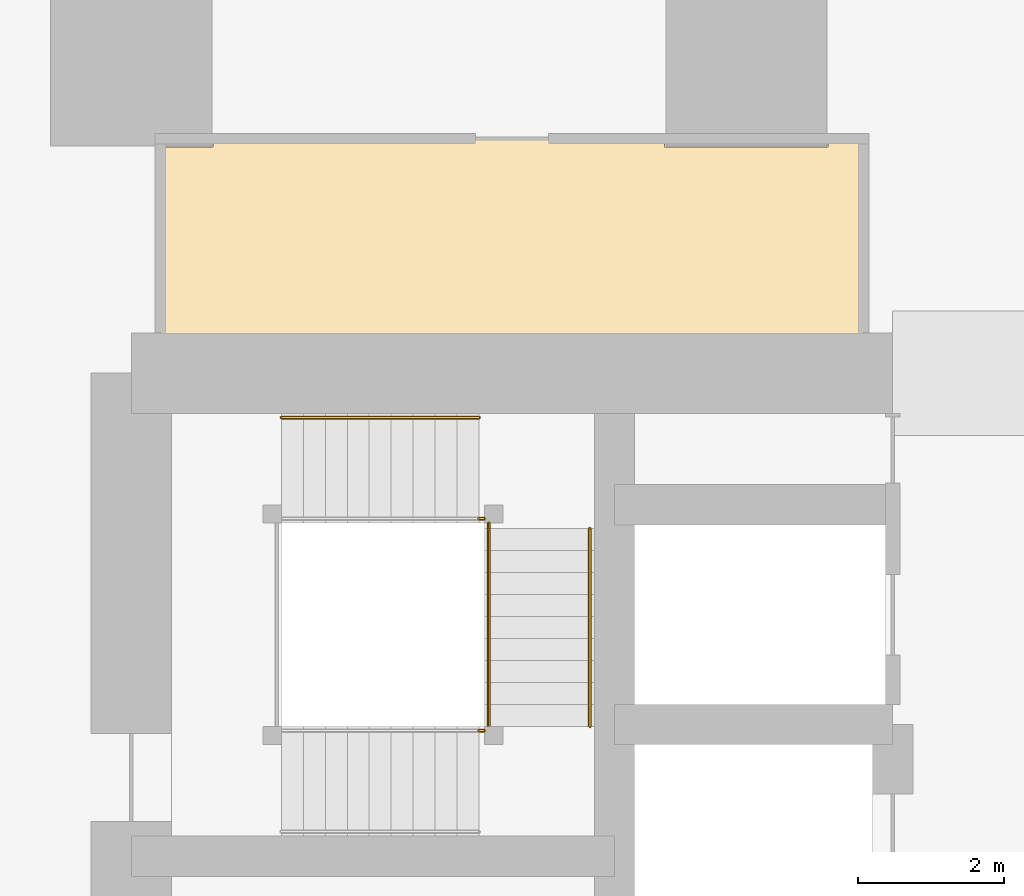
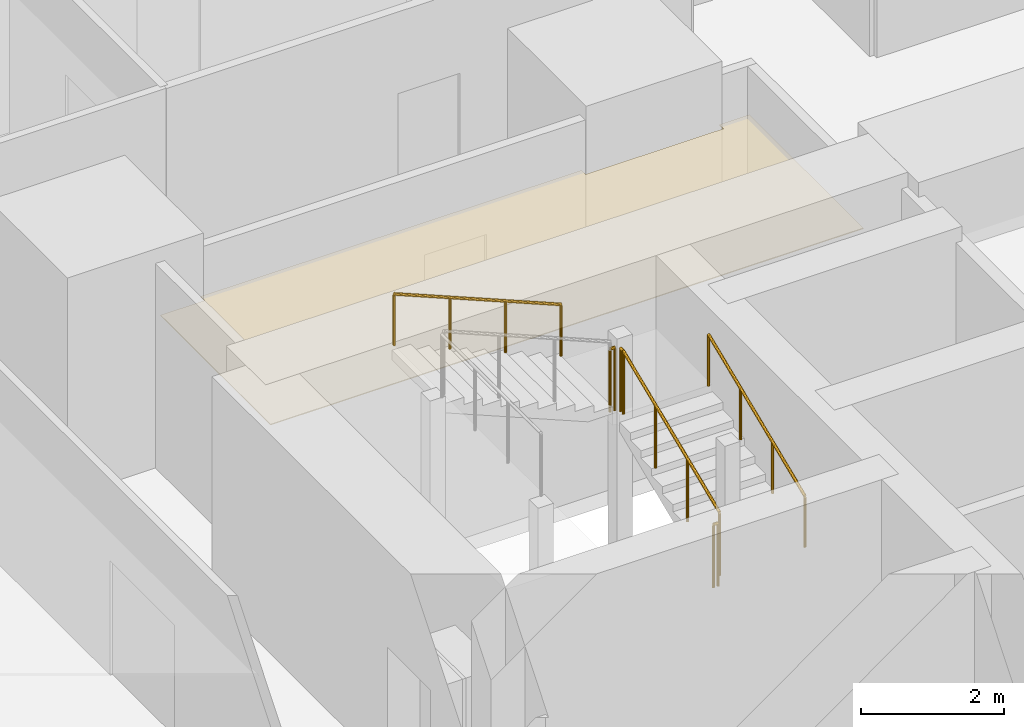
# One storey, part 41 of 44: 6 railings, 1 covering.
"""IFC4 building model written with IfcOpenShell, lengths in metres."""

from ifc_helpers import new_model, si_unit, direction, frame, origin, origin_2d, place, context, subcontext, project, spatial, polyline, circle, outline, extrude, material, layer, layer_set, type_object, element, save


model = new_model("IFC4")

# Units and contexts
model_context = context("Model", 3, precision=1e-05, world=origin(), true_north=direction((0.0, 1.0)))
body_context = subcontext(model_context, "Body", "Model", "MODEL_VIEW")
ifc_project = project(units=[si_unit("LENGTHUNIT", "METRE"), si_unit("AREAUNIT", "SQUARE_METRE"), si_unit("VOLUMEUNIT", "CUBIC_METRE"), si_unit("PLANEANGLEUNIT", "RADIAN"), si_unit("MASSUNIT", "GRAM", prefix="KILO")], contexts=[model_context])

# Site, building, storey
site_placement = place(None, origin())
site = spatial("IfcSite", under=ifc_project, at=site_placement, CompositionType="ELEMENT")
building_placement = place(site_placement, origin())
building = spatial("IfcBuilding", under=site, at=building_placement, Name="Rekha Terrace Tower", CompositionType="ELEMENT")
storey_placement = place(building_placement, frame((0.0, 0.0, 47.89990234375)))
storey = spatial("IfcBuildingStorey", under=building, at=storey_placement, Name="L11", CompositionType="ELEMENT", Elevation=47.89990234375)

# Covering
ifc_material_1 = material(Name="Fibre cement board", Category="finish")
ifc_layer = layer(ifc_material_1, 0.014892578125)
ifc_layer_set = layer_set([ifc_layer], Name="Fibre cement board")
covering_type = type_object("IfcCoveringType", Name="CL2 moisture-resistant board ceiling", PredefinedType="CEILING", material=ifc_layer_set)
covering_placement = place(storey_placement, frame((0.0, 0.0, 2.585205078125)))
element("IfcCovering", 1, at=covering_placement, inside=storey, type_object=covering_type, Name="Ceiling L11-WCF2", PredefinedType="CEILING", context=body_context, shape_type="SweptSolid", body=[
    extrude(outline(polyline([(26.31494140625, 49.284912109375), (25.60009765625, 49.284912109375), (25.60009765625, 46.199951171875), (35.199951171875, 46.199951171875), (35.199951171875, 49.39990234375), (34.715087890625, 49.39990234375), (34.715087890625, 49.284912109375), (32.485107421875, 49.284912109375), (32.485107421875, 49.39990234375), (26.31494140625, 49.39990234375), (26.31494140625, 49.284912109375)])), origin(), (0.0, 0.0, 1.0), 0.014892578125),
])

# Railings
ifc_material_2 = material(Name="Stainless steel balustrade", Category="steel")
railing_type_1 = type_object("IfcRailingType", Name="GR1 1100 stair guard", PredefinedType="GUARDRAIL", material=ifc_material_2)
railing_1_placement = place(storey_placement, frame((30.0849609375, 41.375, 1.375)))
element("IfcRailing", 2, at=railing_1_placement, inside=storey, type_object=railing_type_1, Name="Guard ST4 L11 flight 2", PredefinedType="GUARDRAIL", context=body_context, shape_type="SweptSolid", body=[
    extrude(circle(Radius=0.02392578125, at=origin_2d()), frame((0.0, 0.0, 1.076171875), z_axis=(0.0, 0.923074453586, 0.384621311341), x_axis=(-1.0, 0.0, 0.0)), (0.0, 0.0, 1.0), 2.925048828125),
    extrude(circle(Radius=0.02099609375, at=origin_2d()), origin(), (0.0, 0.0, 1.0), 1.052001953125),
    extrude(circle(Radius=0.02099609375, at=origin_2d()), frame((0.0, 0.89990234375, 0.375)), (0.0, 0.0, 1.0), 1.052001953125),
    extrude(circle(Radius=0.02099609375, at=origin_2d()), frame((0.0, 1.800048828125, 0.75)), (0.0, 0.0, 1.0), 1.052001953125),
    extrude(circle(Radius=0.02099609375, at=origin_2d()), frame((0.0, 2.699951171875, 1.125)), (0.0, 0.0, 1.0), 1.052001953125),
])
railing_2_placement = place(storey_placement, frame((29.949951171875, 41.31494140625, 1.25)))
element("IfcRailing", 3, at=railing_2_placement, inside=storey, type_object=railing_type_1, Name="Guard ST4 L11 landing 1", PredefinedType="GUARDRAIL", context=body_context, shape_type="SweptSolid", body=[
    extrude(circle(Radius=0.02392578125, at=origin_2d()), frame((0.0, 0.0, 1.076171875), z_axis=(1.0, 0.0, 0.0), x_axis=(0.0, 1.0, 0.0)), (0.0, 0.0, 1.0), 0.074951171875),
    extrude(circle(Radius=0.02099609375, at=origin_2d()), origin(), (0.0, 0.0, 1.0), 1.052001953125),
    extrude(circle(Radius=0.02099609375, at=origin_2d()), frame((0.074951171875, 0.0, 0.0)), (0.0, 0.0, 1.0), 1.052001953125),
])
railing_3_placement = place(storey_placement, frame((30.0849609375, 44.074951171875, 2.5)))
element("IfcRailing", 4, at=railing_3_placement, inside=storey, type_object=railing_type_1, Name="Guard ST4 L11 landing 2", PredefinedType="GUARDRAIL", context=body_context, shape_type="SweptSolid", body=[
    extrude(circle(Radius=0.02392578125, at=origin_2d()), frame((0.0, 0.0, 1.076171875), z_axis=(0.0, 1.0, 0.0), x_axis=(-1.0, 0.0, 0.0)), (0.0, 0.0, 1.0), 0.074951171875),
    extrude(circle(Radius=0.02099609375, at=origin_2d()), origin(), (0.0, 0.0, 1.0), 1.052001953125),
    extrude(circle(Radius=0.02099609375, at=origin_2d()), frame((0.0, 0.074951171875, 0.0)), (0.0, 0.0, 1.0), 1.052001953125),
])
railing_4_placement = place(storey_placement, frame((29.949951171875, 44.2099609375, 2.5)))
element("IfcRailing", 5, at=railing_4_placement, inside=storey, type_object=railing_type_1, Name="Guard ST4 L11 landing 3", PredefinedType="GUARDRAIL", context=body_context, shape_type="SweptSolid", body=[
    extrude(circle(Radius=0.02392578125, at=origin_2d()), frame((0.0, 0.0, 1.076171875), z_axis=(1.0, 0.0, 0.0), x_axis=(0.0, 1.0, 0.0)), (0.0, 0.0, 1.0), 0.074951171875),
    extrude(circle(Radius=0.02099609375, at=origin_2d()), origin(), (0.0, 0.0, 1.0), 1.052001953125),
    extrude(circle(Radius=0.02099609375, at=origin_2d()), frame((0.074951171875, 0.0, 0.0)), (0.0, 0.0, 1.0), 1.052001953125),
])
ifc_material_3 = material(Name="Stainless steel tube", Category="steel")
railing_type_2 = type_object("IfcRailingType", Name="HR1 900 stair handrail", PredefinedType="HANDRAIL", material=ifc_material_3)
railing_5_placement = place(storey_placement, frame((31.465087890625, 41.375, 1.375)))
element("IfcRailing", 6, at=railing_5_placement, inside=storey, type_object=railing_type_2, Name="Handrail ST4 L11 flight 2", PredefinedType="HANDRAIL", context=body_context, shape_type="SweptSolid", body=[
    extrude(circle(Radius=0.02392578125, at=origin_2d()), frame((0.0, 0.0, 0.8759765625), z_axis=(0.0, 0.923074453586, 0.384621311341), x_axis=(-1.0, 0.0, 0.0)), (0.0, 0.0, 1.0), 2.925048828125),
    extrude(circle(Radius=0.02099609375, at=origin_2d()), origin(), (0.0, 0.0, 1.0), 0.851806640625),
    extrude(circle(Radius=0.02099609375, at=origin_2d()), frame((0.0, 0.89990234375, 0.375)), (0.0, 0.0, 1.0), 0.851806640625),
    extrude(circle(Radius=0.02099609375, at=origin_2d()), frame((0.0, 1.800048828125, 0.75)), (0.0, 0.0, 1.0), 0.851806640625),
    extrude(circle(Radius=0.02099609375, at=origin_2d()), frame((0.0, 2.699951171875, 1.125)), (0.0, 0.0, 1.0), 0.851806640625),
])
railing_6_placement = place(storey_placement, frame((29.949951171875, 45.590087890625, 2.625)))
element("IfcRailing", 7, at=railing_6_placement, inside=storey, type_object=railing_type_2, Name="Handrail ST4 L11 flight 3", PredefinedType="HANDRAIL", context=body_context, shape_type="SweptSolid", body=[
    extrude(circle(Radius=0.02392578125, at=origin_2d()), frame((0.0, 0.0, 0.8759765625), z_axis=(-0.923074453586, 0.0, 0.384621311341), x_axis=(0.0, -1.0, 0.0)), (0.0, 0.0, 1.0), 2.925048828125),
    extrude(circle(Radius=0.02099609375, at=origin_2d()), origin(), (0.0, 0.0, 1.0), 0.851806640625),
    extrude(circle(Radius=0.02099609375, at=origin_2d()), frame((-0.89990234375, 0.0, 0.375)), (0.0, 0.0, 1.0), 0.851806640625),
    extrude(circle(Radius=0.02099609375, at=origin_2d()), frame((-1.800048828125, 0.0, 0.75)), (0.0, 0.0, 1.0), 0.851806640625),
    extrude(circle(Radius=0.02099609375, at=origin_2d()), frame((-2.699951171875, 0.0, 1.125)), (0.0, 0.0, 1.0), 0.851806640625),
])

save(model, "model.ifc")
